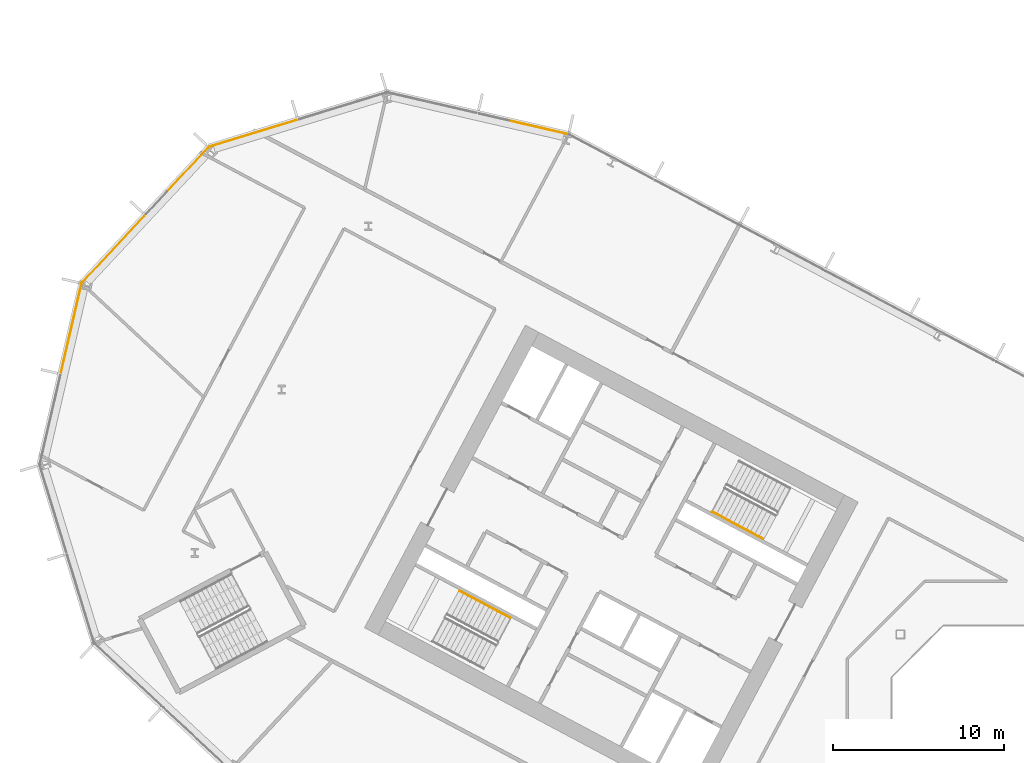
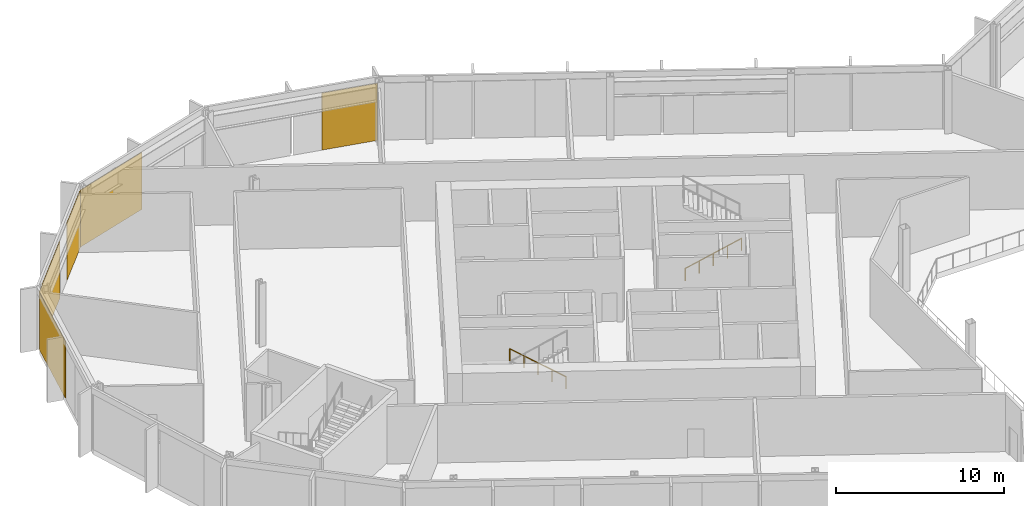
# One storey, part 24 of 31: 5 coverings, 2 railings, 4 elements without a shape of their own.
"""IFC4 building model written with IfcOpenShell, lengths in metres."""

from ifc_helpers import new_model, si_unit, direction, frame, origin, origin_2d, place, context, subcontext, project, spatial, polyline, rectangle, outline, extrude, material, layer, layer_set, type_object, element, aggregate, save


model = new_model("IFC4")

# Units and contexts
model_context = context("Model", 3, precision=1e-05, world=origin(), true_north=direction((0.0, 1.0)))
body_context = subcontext(model_context, "Body", "Model", "MODEL_VIEW")
ifc_project = project(units=[si_unit("LENGTHUNIT", "METRE"), si_unit("AREAUNIT", "SQUARE_METRE"), si_unit("VOLUMEUNIT", "CUBIC_METRE"), si_unit("PLANEANGLEUNIT", "RADIAN"), si_unit("MASSUNIT", "GRAM", prefix="KILO")], contexts=[model_context])

# Site, building, storey
site_placement = place(None, origin())
site = spatial("IfcSite", under=ifc_project, at=site_placement, CompositionType="ELEMENT")
building_placement = place(site_placement, origin())
building = spatial("IfcBuilding", under=site, at=building_placement, Name="Cormorant Relay Tower", CompositionType="ELEMENT")
storey_placement = place(building_placement, frame((0.0, 0.0, 103.0)))
storey = spatial("IfcBuildingStorey", under=building, at=storey_placement, Name="L20", CompositionType="ELEMENT", Elevation=103.0)

# Curtain wall, covering
ifc_material_1 = material(Name="Aluminium 6063-T6 anodised bronze", Category="aluminium")
ifc_layer_1 = layer(ifc_material_1, 0.199951171875)
ifc_layer_set_1 = layer_set([ifc_layer_1], Name="CW1 unitised bronze curtain wall with vertical fins")
curtain_wall_type = type_object("IfcCurtainWallType", Name="CW1 unitised bronze curtain wall with vertical fins", PredefinedType="NOTDEFINED", material=ifc_layer_set_1)
curtain_wall_1_placement = place(storey_placement, origin())
curtain_wall_1 = element("IfcCurtainWall", 1, at=curtain_wall_1_placement, inside=storey, type_object=curtain_wall_type, Name="CW1 curtain wall 8", PredefinedType="NOTDEFINED")
ifc_material_2 = material(Name="Pale bronze anodised aluminium insulated panel", Category="aluminium")
ifc_layer_2 = layer(ifc_material_2, 0.0400390625)
ifc_layer_set_2 = layer_set([ifc_layer_2], Name="CW1 pale bronze insulated panel 40")
covering_type = type_object("IfcCoveringType", Name="CW1 pale bronze insulated panel 40", PredefinedType="CLADDING", material=ifc_layer_set_2)
covering_1_placement = place(storey_placement, frame((-31.640380859375, 40.096435546875, 0.0), z_axis=(0.0, 0.0, 1.0), x_axis=(-0.974370064785, 0.224951054344, 0.0)))
covering_1 = element("IfcCovering", 2, at=covering_1_placement, type_object=covering_type, Name="CW1 panel S00", PredefinedType="CLADDING", context=body_context, shape_type="SweptSolid", body=[
    extrude(rectangle(XDim=3.485107421875, YDim=0.0400390625, at=origin_2d()), origin(), (0.0, 0.0, 1.0), 4.14990234375),
])
aggregate(curtain_wall_1, [covering_1])

curtain_wall_2_placement = place(storey_placement, origin())
curtain_wall_2 = element("IfcCurtainWall", 3, at=curtain_wall_2_placement, inside=storey, type_object=curtain_wall_type, Name="CW1 curtain wall 9", PredefinedType="NOTDEFINED")
covering_2_placement = place(storey_placement, frame((-48.3037109375, 39.73779296875, 0.0), z_axis=(0.0, 0.0, 1.0), x_axis=(-0.956304755963, -0.292371704723, 0.0)))
covering_2 = element("IfcCovering", 4, at=covering_2_placement, type_object=covering_type, Name="CW1 panel S02", PredefinedType="CLADDING", context=body_context, shape_type="SweptSolid", body=[
    extrude(rectangle(XDim=5.360107421875, YDim=0.0400390625, at=origin_2d()), origin(), (0.0, 0.0, 1.0), 4.14990234375),
])
aggregate(curtain_wall_2, [covering_2])

# Curtain wall, coverings
curtain_wall_3_placement = place(storey_placement, origin())
curtain_wall_3 = element("IfcCurtainWall", 5, at=curtain_wall_3_placement, inside=storey, type_object=curtain_wall_type, Name="CW1 curtain wall 10", PredefinedType="NOTDEFINED")
covering_3_placement = place(storey_placement, frame((-52.115234375, 37.61962890625, 0.0), z_axis=(0.0, 0.0, 1.0), x_axis=(-0.681998360062, -0.731353701619, 0.0)))
covering_3 = element("IfcCovering", 6, at=covering_3_placement, type_object=covering_type, Name="CW1 panel S00", PredefinedType="CLADDING", context=body_context, shape_type="SweptSolid", body=[
    extrude(rectangle(XDim=3.485107421875, YDim=0.0400390625, at=origin_2d()), origin(), (0.0, 0.0, 1.0), 4.14990234375),
])
covering_4_placement = place(storey_placement, frame((-56.461181640625, 32.958984375, 0.0), z_axis=(0.0, 0.0, 1.0), x_axis=(-0.681998360062, -0.731353701619, 0.0)))
covering_4 = element("IfcCovering", 7, at=covering_4_placement, type_object=covering_type, Name="CW1 panel S02", PredefinedType="CLADDING", context=body_context, shape_type="SweptSolid", body=[
    extrude(rectangle(XDim=5.360107421875, YDim=0.0400390625, at=origin_2d()), origin(), (0.0, 0.0, 1.0), 4.14990234375),
])
aggregate(curtain_wall_3, [covering_3, covering_4])

# Curtain wall, covering
curtain_wall_4_placement = place(storey_placement, origin())
curtain_wall_4 = element("IfcCurtainWall", 8, at=curtain_wall_4_placement, inside=storey, type_object=curtain_wall_type, Name="CW1 curtain wall 11", PredefinedType="NOTDEFINED")
covering_5_placement = place(storey_placement, frame((-58.905517578125, 28.341796875, 0.0), z_axis=(0.0, 0.0, 1.0), x_axis=(-0.224951054344, -0.974370064785, 0.0)))
covering_5 = element("IfcCovering", 9, at=covering_5_placement, type_object=covering_type, Name="CW1 panel S00", PredefinedType="CLADDING", context=body_context, shape_type="SweptSolid", body=[
    extrude(rectangle(XDim=5.28515625, YDim=0.0400390625, at=origin_2d()), origin(), (0.0, 0.0, 1.0), 4.14990234375),
])
aggregate(curtain_wall_4, [covering_5])

# Railings
ifc_material_3 = material(Name="Steel ASTM A572 Grade 50 (Fy 345 MPa)", Category="steel")
railing_type = type_object("IfcRailingType", Name="Stair handrail 900", PredefinedType="HANDRAIL", material=ifc_material_3)
railing_1_placement = place(storey_placement, frame((-21.478271484375, 17.6494140625, 0.177001953125)))
element("IfcRailing", 10, at=railing_1_placement, inside=storey, type_object=railing_type, Name="L20 A1 stair handrail 1", PredefinedType="HANDRAIL", context=body_context, shape_type="SweptSolid", body=[
    extrude(outline(polyline([(0.022216796875, 0.00927734375), (0.00927734375, 0.022216796875), (-0.00927734375, 0.022216796875), (-0.022216796875, 0.00927734375), (-0.022216796875, -0.00927734375), (-0.00927734375, -0.022216796875), (0.00927734375, -0.022216796875), (0.022216796875, -0.00927734375), (0.022216796875, 0.00927734375)])), frame((0.0, 0.0, 0.8759765625), z_axis=(0.746422470992, -0.396920836698, 0.534141689248), x_axis=(0.469509342547, 0.882927503967, 0.0)), (0.0, 0.0, 1.0), 3.974609375),
    extrude(outline(polyline([(0.019287109375, 0.008056640625), (0.008056640625, 0.019287109375), (-0.008056640625, 0.019287109375), (-0.019287109375, 0.008056640625), (-0.019287109375, -0.008056640625), (-0.008056640625, -0.019287109375), (0.008056640625, -0.019287109375), (0.019287109375, -0.008056640625), (0.019287109375, 0.008056640625)])), origin(), (0.0, 0.0, 1.0), 0.851806640625),
    extrude(outline(polyline([(0.019287109375, 0.008056640625), (0.008056640625, 0.019287109375), (-0.008056640625, 0.019287109375), (-0.019287109375, 0.008056640625), (-0.019287109375, -0.008056640625), (-0.008056640625, -0.019287109375), (0.008056640625, -0.019287109375), (0.019287109375, -0.008056640625), (0.019287109375, 0.008056640625)])), frame((0.74169921875, -0.39453125, 0.53076171875)), (0.0, 0.0, 1.0), 0.851806640625),
    extrude(outline(polyline([(0.019287109375, 0.008056640625), (0.008056640625, 0.019287109375), (-0.008056640625, 0.019287109375), (-0.019287109375, 0.008056640625), (-0.019287109375, -0.008056640625), (-0.008056640625, -0.019287109375), (0.008056640625, -0.019287109375), (0.019287109375, -0.008056640625), (0.019287109375, 0.008056640625)])), frame((1.4833984375, -0.788818359375, 1.0615234375)), (0.0, 0.0, 1.0), 0.851806640625),
    extrude(outline(polyline([(0.019287109375, 0.008056640625), (0.008056640625, 0.019287109375), (-0.008056640625, 0.019287109375), (-0.019287109375, 0.008056640625), (-0.019287109375, -0.008056640625), (-0.008056640625, -0.019287109375), (0.008056640625, -0.019287109375), (0.019287109375, -0.008056640625), (0.019287109375, 0.008056640625)])), frame((2.22509765625, -1.18310546875, 1.59228515625)), (0.0, 0.0, 1.0), 0.851806640625),
    extrude(outline(polyline([(0.019287109375, 0.008056640625), (0.008056640625, 0.019287109375), (-0.008056640625, 0.019287109375), (-0.019287109375, 0.008056640625), (-0.019287109375, -0.008056640625), (-0.008056640625, -0.019287109375), (0.008056640625, -0.019287109375), (0.019287109375, -0.008056640625), (0.019287109375, 0.008056640625)])), frame((2.966796875, -1.57763671875, 2.123046875)), (0.0, 0.0, 1.0), 0.851806640625),
])
railing_2_placement = place(storey_placement, frame((-33.264404296875, 11.4580078125, 0.177001953125)))
element("IfcRailing", 11, at=railing_2_placement, inside=storey, type_object=railing_type, Name="L20 A2 stair handrail 1", PredefinedType="HANDRAIL", context=body_context, shape_type="SweptSolid", body=[
    extrude(outline(polyline([(0.022216796875, 0.00927734375), (0.00927734375, 0.022216796875), (-0.00927734375, 0.022216796875), (-0.022216796875, 0.00927734375), (-0.022216796875, -0.00927734375), (-0.00927734375, -0.022216796875), (0.00927734375, -0.022216796875), (0.022216796875, -0.00927734375), (0.022216796875, 0.00927734375)])), frame((0.0, 0.0, 0.8759765625), z_axis=(-0.746440668329, 0.396869088057, 0.534154711306), x_axis=(-0.46945269911, -0.882957622595, 0.0)), (0.0, 0.0, 1.0), 3.974609375),
    extrude(outline(polyline([(0.019287109375, 0.008056640625), (0.008056640625, 0.019287109375), (-0.008056640625, 0.019287109375), (-0.019287109375, 0.008056640625), (-0.019287109375, -0.008056640625), (-0.008056640625, -0.019287109375), (0.008056640625, -0.019287109375), (0.019287109375, -0.008056640625), (0.019287109375, 0.008056640625)])), origin(), (0.0, 0.0, 1.0), 0.851806640625),
    extrude(outline(polyline([(0.019287109375, 0.008056640625), (0.008056640625, 0.019287109375), (-0.008056640625, 0.019287109375), (-0.019287109375, 0.008056640625), (-0.019287109375, -0.008056640625), (-0.008056640625, -0.019287109375), (0.008056640625, -0.019287109375), (0.019287109375, -0.008056640625), (0.019287109375, 0.008056640625)])), frame((-0.74169921875, 0.394287109375, 0.53076171875)), (0.0, 0.0, 1.0), 0.851806640625),
    extrude(outline(polyline([(0.019287109375, 0.008056640625), (0.008056640625, 0.019287109375), (-0.008056640625, 0.019287109375), (-0.019287109375, 0.008056640625), (-0.019287109375, -0.008056640625), (-0.008056640625, -0.019287109375), (0.008056640625, -0.019287109375), (0.019287109375, -0.008056640625), (0.019287109375, 0.008056640625)])), frame((-1.4833984375, 0.78857421875, 1.0615234375)), (0.0, 0.0, 1.0), 0.851806640625),
    extrude(outline(polyline([(0.019287109375, 0.008056640625), (0.008056640625, 0.019287109375), (-0.008056640625, 0.019287109375), (-0.019287109375, 0.008056640625), (-0.019287109375, -0.008056640625), (-0.008056640625, -0.019287109375), (0.008056640625, -0.019287109375), (0.019287109375, -0.008056640625), (0.019287109375, 0.008056640625)])), frame((-2.22509765625, 1.18310546875, 1.59228515625)), (0.0, 0.0, 1.0), 0.851806640625),
    extrude(outline(polyline([(0.019287109375, 0.008056640625), (0.008056640625, 0.019287109375), (-0.008056640625, 0.019287109375), (-0.019287109375, 0.008056640625), (-0.019287109375, -0.008056640625), (-0.008056640625, -0.019287109375), (0.008056640625, -0.019287109375), (0.019287109375, -0.008056640625), (0.019287109375, 0.008056640625)])), frame((-2.966796875, 1.577392578125, 2.123046875)), (0.0, 0.0, 1.0), 0.851806640625),
])

save(model, "model.ifc")
